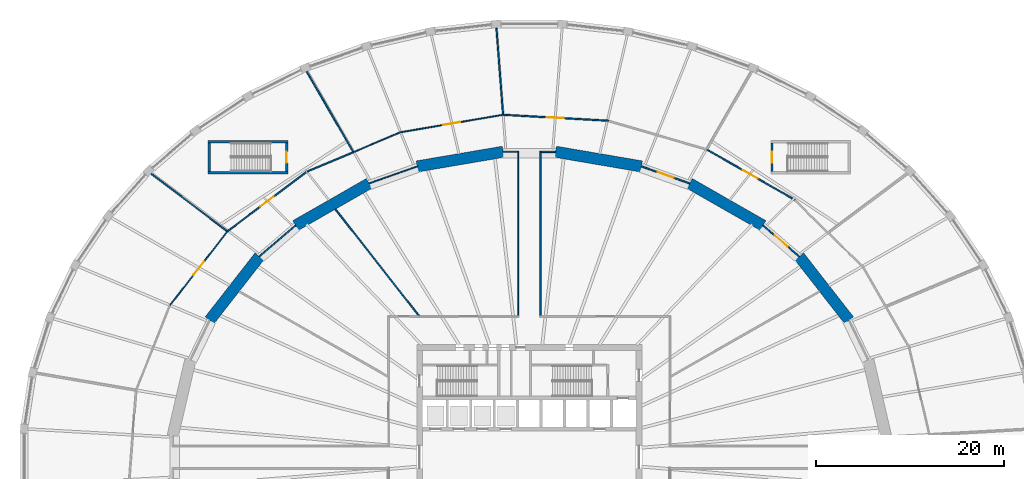
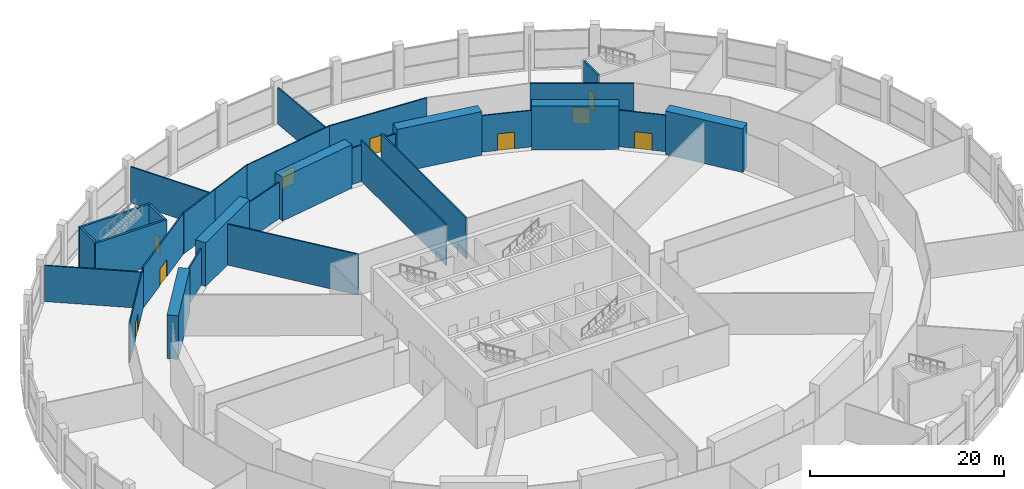
# One storey, part 24 of 29: 30 walls, 9 doors, 9 openings.
"""IFC4 building model written with IfcOpenShell, lengths in metres."""

from ifc_helpers import new_model, si_unit, direction, frame, frame_2d, origin, place, context, subcontext, project, spatial, polyline, rectangle, outline, extrude, material, layer, layer_set, type_object, element, fill, save


model = new_model("IFC4")

# Units and contexts
model_context = context("Model", 3, precision=1e-05, world=origin(), true_north=direction((0.0, 1.0)))
body_context = subcontext(model_context, "Body", "Model", "MODEL_VIEW")
ifc_project = project(units=[si_unit("LENGTHUNIT", "METRE"), si_unit("AREAUNIT", "SQUARE_METRE"), si_unit("VOLUMEUNIT", "CUBIC_METRE"), si_unit("PLANEANGLEUNIT", "RADIAN"), si_unit("MASSUNIT", "GRAM", prefix="KILO")], contexts=[model_context])

# Site, building, storey
site_placement = place(None, origin())
site = spatial("IfcSite", under=ifc_project, at=site_placement, CompositionType="ELEMENT")
building_placement = place(site_placement, origin())
building = spatial("IfcBuilding", under=site, at=building_placement, Name="Halqa Exchange Tower", CompositionType="ELEMENT")
storey_placement = place(building_placement, frame((0.0, 0.0, 12.5)))
storey = spatial("IfcBuildingStorey", under=building, at=storey_placement, Name="L02", CompositionType="ELEMENT", Elevation=12.5)

# Walls
ifc_material_1 = material(Name="Gypsum board")
ifc_layer_1 = layer(ifc_material_1, 0.14990234375)
ifc_layer_set_1 = layer_set([ifc_layer_1], Name="Gypsum board")
wall_type_1 = type_object("IfcWallType", Name="Acoustic partition 150", PredefinedType="PARTITIONING", material=ifc_layer_set_1)
wall_1_placement = place(storey_placement, frame((-20.679931640625, 26.449951171875, 0.0), z_axis=(0.0, 0.0, 1.0), x_axis=(0.616461511357, -0.787385042413, 0.0)))
element("IfcWall", 1, at=wall_1_placement, inside=storey, type_object=wall_type_1, Name="L02-PWL-023", PredefinedType="PARTITIONING", context=body_context, shape_type="SweptSolid", body=[
    extrude(outline(polyline([(-0.010986328125, -0.074951171875), (14.517822265625, -0.074951171875), (14.517822265625, 0.074951171875), (0.010986328125, 0.074951171875), (-0.010986328125, -0.074951171875)])), origin(), (0.0, 0.0, 1.0), 5.14990234375),
])
ifc_material_2 = material(Name="Fire-rated gypsum board")
ifc_layer_2 = layer(ifc_material_2, 0.14990234375)
ifc_layer_set_2 = layer_set([ifc_layer_2], Name="Fire-rated gypsum board")
wall_type_2 = type_object("IfcWallType", Name="Fire partition EI 60 150", PredefinedType="PARTITIONING", material=ifc_layer_set_2)
wall_2_placement = place(storey_placement, frame((-40.337646484375, 30.225341796875, 0.0), z_axis=(0.0, 0.0, 1.0), x_axis=(0.79878223103, -0.601620268435, 0.0)))
element("IfcWall", 2, at=wall_2_placement, inside=storey, type_object=wall_type_2, Name="L02-PWL-006", PredefinedType="PARTITIONING", context=body_context, shape_type="SweptSolid", body=[
    extrude(outline(polyline([(-0.011474609375, -0.074951171875), (10.117919921875, -0.074951171875), (10.117919921875, 0.074951171875), (0.011474609375, 0.074951171875), (-0.011474609375, -0.074951171875)])), origin(), (0.0, 0.0, 1.0), 4.550048828125),
])

# Wall, opening, door
wall_3_placement = place(storey_placement, frame((-32.22509765625, 24.068603515625, 0.0), z_axis=(0.0, 0.0, 1.0), x_axis=(0.799199975682, 0.601065220147, 0.0)))
wall_3 = element("IfcWall", 3, at=wall_3_placement, inside=storey, type_object=wall_type_2, Name="L02-PWL-016", PredefinedType="PARTITIONING", context=body_context, shape_type="SweptSolid", body=[
    extrude(rectangle(XDim=10.665771484375, YDim=0.14990234375, at=frame_2d((5.3330078125, 0.0))), origin(), (0.0, 0.0, 1.0), 5.14990234375),
])
opening_1_placement = place(wall_3_placement, frame((4.41796875, 0.0, 0.0)))
opening_1 = element("IfcOpeningElement", 4, at=opening_1_placement, cuts=wall_3, Name="Opening L02-16", PredefinedType="OPENING", context=body_context, shape_type="SweptSolid", body=[
    extrude(rectangle(XDim=1.800048828125, YDim=2.10009765625, at=frame_2d((0.89990234375, 1.050048828125))), frame((0.0, 0.0869140625, 0.0), z_axis=(0.0, -1.0, 0.0), x_axis=(1.0, 0.0, 0.0)), (0.0, 0.0, 1.0), 0.173828125),
])
ifc_material_3 = material(Name="Steel fire door leaf", Category="steel")
door_type_1 = type_object("IfcDoorType", Name="Fire door FD30S double 1800 x 2100", OperationType="DOUBLE_DOOR_SINGLE_SWING", PredefinedType="DOOR", material=ifc_material_3)
door_1_placement = place(opening_1_placement, origin())
door_1 = element("IfcDoor", 5, at=door_1_placement, inside=storey, type_object=door_type_1, Name="L02-IDR-016", OperationType="DOUBLE_DOOR_SINGLE_SWING", OverallHeight=2.10009765625, OverallWidth=1.800048828125, PredefinedType="DOOR", context=body_context, shape_type="SweptSolid", body=[
    extrude(rectangle(XDim=1.800048828125, YDim=2.10009765625, at=frame_2d((0.89990234375, 1.050048828125))), frame((0.0, 0.02490234375, 0.0), z_axis=(0.0, -1.0, 0.0), x_axis=(1.0, 0.0, 0.0)), (0.0, 0.0, 1.0), 0.050048828125),
])
fill(opening_1, door_1)

# Walls
wall_4_placement = place(storey_placement, frame((-24.931884765625, 24.70849609375, 0.0), z_axis=(0.0, 0.0, 1.0), x_axis=(-0.760084552743, -0.649824185978, 0.0)))
element("IfcWall", 6, at=wall_4_placement, inside=storey, type_object=wall_type_2, Name="L02-PWL-019", PredefinedType="PARTITIONING", context=body_context, shape_type="SweptSolid", body=[
    extrude(outline(polyline([(-0.01416015625, -0.074951171875), (5.09033203125, -0.074951171875), (5.0595703125, 0.074951171875), (0.01416015625, 0.074951171875), (-0.01416015625, -0.074951171875)])), origin(), (0.0, 0.0, 1.0), 4.60009765625),
])
wall_5_placement = place(storey_placement, frame((-23.6865234375, 30.45947265625, 0.0), z_axis=(0.0, 0.0, 1.0), x_axis=(0.921600059119, 0.388140864934, 0.0)))
element("IfcWall", 7, at=wall_5_placement, inside=storey, type_object=wall_type_2, Name="L02-PWL-020", PredefinedType="PARTITIONING", context=body_context, shape_type="SweptSolid", body=[
    extrude(rectangle(XDim=5.335693359375, YDim=0.14990234375, at=frame_2d((2.66796875, 0.0))), origin(), (0.0, 0.0, 1.0), 5.14990234375),
])
wall_6_placement = place(storey_placement, frame((-23.7451171875, 41.150390625, 0.0), z_axis=(0.0, 0.0, 1.0), x_axis=(0.49985011379, -0.866111923336, 0.0)))
element("IfcWall", 8, at=wall_6_placement, inside=storey, type_object=wall_type_2, Name="L02-PWL-021", PredefinedType="PARTITIONING", context=body_context, shape_type="SweptSolid", body=[
    extrude(outline(polyline([(-0.00927734375, -0.074951171875), (9.8779296875, -0.074951171875), (9.8779296875, 0.074951171875), (0.00927734375, 0.074951171875), (-0.00927734375, -0.074951171875)])), origin(), (0.0, 0.0, 1.0), 4.550048828125),
])
wall_7_placement = place(storey_placement, frame((-2.80419921875, 36.5732421875, 0.0), z_axis=(0.0, 0.0, 1.0), x_axis=(-0.076121640679, 0.997098538671, 0.0)))
element("IfcWall", 9, at=wall_7_placement, inside=storey, type_object=wall_type_2, Name="L02-PWL-040", PredefinedType="PARTITIONING", context=body_context, shape_type="SweptSolid", body=[
    extrude(outline(polyline([(0.0, -0.074951171875), (9.254638671875, -0.074951171875), (9.257568359375, 0.074951171875), (0.0, 0.074951171875), (0.0, -0.074951171875)])), origin(), (0.0, 0.0, 1.0), 4.60009765625),
])

# Wall, opening, door
wall_8_placement = place(storey_placement, frame((-2.794921875, 36.519775390625, 0.0), z_axis=(0.0, 0.0, 1.0), x_axis=(0.998407334581, -0.056416258786, 0.0)))
wall_8 = element("IfcWall", 10, at=wall_8_placement, inside=storey, type_object=wall_type_2, Name="L02-PWL-041", PredefinedType="PARTITIONING", context=body_context, shape_type="SweptSolid", body=[
    extrude(rectangle(XDim=11.260009765625, YDim=0.14990234375, at=frame_2d((5.6298828125, 0.0))), origin(), (0.0, 0.0, 1.0), 5.14990234375),
])
opening_2_placement = place(wall_8_placement, frame((4.678955078125, 0.0, 0.0)))
opening_2 = element("IfcOpeningElement", 11, at=opening_2_placement, cuts=wall_8, Name="Opening L02-21", PredefinedType="OPENING", context=body_context, shape_type="SweptSolid", body=[
    extrude(rectangle(XDim=1.800048828125, YDim=2.10009765625, at=frame_2d((0.89990234375, 1.050048828125))), frame((0.0, 0.0869140625, 0.0), z_axis=(0.0, -1.0, 0.0), x_axis=(1.0, 0.0, 0.0)), (0.0, 0.0, 1.0), 0.173828125),
])
door_2_placement = place(opening_2_placement, origin())
door_2 = element("IfcDoor", 12, at=door_2_placement, inside=storey, type_object=door_type_1, Name="L02-IDR-021", OperationType="DOUBLE_DOOR_SINGLE_SWING", OverallHeight=2.10009765625, OverallWidth=1.800048828125, PredefinedType="DOOR", context=body_context, shape_type="SweptSolid", body=[
    extrude(rectangle(XDim=1.800048828125, YDim=2.10009765625, at=frame_2d((0.89990234375, 1.050048828125))), frame((0.0, 0.02490234375, 0.0), z_axis=(0.0, -1.0, 0.0), x_axis=(1.0, 0.0, 0.0)), (0.0, 0.0, 1.0), 0.050048828125),
])
fill(opening_2, door_2)

# Walls
wall_9_placement = place(storey_placement, frame((1.199951171875, 32.64501953125, 0.0), z_axis=(0.0, 0.0, 1.0), x_axis=(0.0, -1.0, 0.0)))
element("IfcWall", 13, at=wall_9_placement, inside=storey, type_object=wall_type_2, Name="L02-PWL-050", PredefinedType="PARTITIONING", context=body_context, shape_type="SweptSolid", body=[
    extrude(rectangle(XDim=17.570068359375, YDim=0.14990234375, at=frame_2d((8.78515625, 0.0))), origin(), (0.0, 0.0, 1.0), 5.14990234375),
])
wall_10_placement = place(storey_placement, frame((2.7880859375, 32.570068359375, 0.0), z_axis=(0.0, 0.0, 1.0), x_axis=(-1.0, 0.0, 0.0)))
element("IfcWall", 14, at=wall_10_placement, inside=storey, type_object=wall_type_2, Name="L02-PWL-051", PredefinedType="PARTITIONING", context=body_context, shape_type="SweptSolid", body=[
    extrude(outline(polyline([(-0.0126953125, -0.074951171875), (1.51318359375, -0.074951171875), (1.51318359375, 0.074951171875), (0.0126953125, 0.074951171875), (-0.0126953125, -0.074951171875)])), origin(), (0.0, 0.0, 1.0), 4.60009765625),
])

# Wall, opening, door
wall_11_placement = place(storey_placement, frame((17.0908203125, 29.19970703125, 0.0), z_axis=(0.0, 0.0, 1.0), x_axis=(-0.942814385805, 0.333318217204, 0.0)))
wall_11 = element("IfcWall", 15, at=wall_11_placement, inside=storey, type_object=wall_type_2, Name="L02-PWL-065", PredefinedType="PARTITIONING", context=body_context, shape_type="SweptSolid", body=[
    extrude(outline(polyline([(-0.013671875, -0.074951171875), (5.44775390625, -0.074951171875), (5.421875, 0.074951171875), (0.013671875, 0.074951171875), (-0.013671875, -0.074951171875)])), origin(), (0.0, 0.0, 1.0), 4.60009765625),
])
opening_3_placement = place(wall_11_placement, frame((1.81640625, 0.0, 0.0)))
opening_3 = element("IfcOpeningElement", 16, at=opening_3_placement, cuts=wall_11, Name="Opening L02-04", PredefinedType="OPENING", context=body_context, shape_type="SweptSolid", body=[
    extrude(rectangle(XDim=1.800048828125, YDim=2.10009765625, at=frame_2d((0.89990234375, 1.050048828125))), frame((0.0, 0.0869140625, 0.0), z_axis=(0.0, -1.0, 0.0), x_axis=(1.0, 0.0, 0.0)), (0.0, 0.0, 1.0), 0.173828125),
])
door_3_placement = place(opening_3_placement, origin())
door_3 = element("IfcDoor", 17, at=door_3_placement, inside=storey, type_object=door_type_1, Name="L02-IDR-004", OperationType="DOUBLE_DOOR_SINGLE_SWING", OverallHeight=2.10009765625, OverallWidth=1.800048828125, PredefinedType="DOOR", context=body_context, shape_type="SweptSolid", body=[
    extrude(rectangle(XDim=1.800048828125, YDim=2.10009765625, at=frame_2d((0.89990234375, 1.050048828125))), frame((0.0, 0.02490234375, 0.0), z_axis=(0.0, -1.0, 0.0), x_axis=(1.0, 0.0, 0.0)), (0.0, 0.0, 1.0), 0.050048828125),
])
fill(opening_3, door_3)

wall_12_placement = place(storey_placement, frame((18.957763671875, 32.7998046875, 0.0), z_axis=(0.0, 0.0, 1.0), x_axis=(0.867958465669, -0.496636790697, 0.0)))
wall_12 = element("IfcWall", 18, at=wall_12_placement, inside=storey, type_object=wall_type_2, Name="L02-PWL-067", PredefinedType="PARTITIONING", context=body_context, shape_type="SweptSolid", body=[
    extrude(rectangle(XDim=10.771728515625, YDim=0.14990234375, at=frame_2d((5.3857421875, 0.0))), origin(), (0.0, 0.0, 1.0), 5.14990234375),
])
opening_4_placement = place(wall_12_placement, frame((4.42529296875, 0.0, 0.0)))
opening_4 = element("IfcOpeningElement", 19, at=opening_4_placement, cuts=wall_12, Name="Opening L02-15", PredefinedType="OPENING", context=body_context, shape_type="SweptSolid", body=[
    extrude(rectangle(XDim=1.800048828125, YDim=2.10009765625, at=frame_2d((0.89990234375, 1.050048828125))), frame((0.0, 0.0869140625, 0.0), z_axis=(0.0, -1.0, 0.0), x_axis=(1.0, 0.0, 0.0)), (0.0, 0.0, 1.0), 0.173828125),
])
door_4_placement = place(opening_4_placement, origin())
door_4 = element("IfcDoor", 20, at=door_4_placement, inside=storey, type_object=door_type_1, Name="L02-IDR-015", OperationType="DOUBLE_DOOR_SINGLE_SWING", OverallHeight=2.10009765625, OverallWidth=1.800048828125, PredefinedType="DOOR", context=body_context, shape_type="SweptSolid", body=[
    extrude(rectangle(XDim=1.800048828125, YDim=2.10009765625, at=frame_2d((0.89990234375, 1.050048828125))), frame((0.0, 0.02490234375, 0.0), z_axis=(0.0, -1.0, 0.0), x_axis=(1.0, 0.0, 0.0)), (0.0, 0.0, 1.0), 0.050048828125),
])
fill(opening_4, door_4)

wall_13_placement = place(storey_placement, frame((28.789306640625, 21.41064453125, 0.0), z_axis=(0.0, 0.0, 1.0), x_axis=(-0.760084552743, 0.649824185978, 0.0)))
wall_13 = element("IfcWall", 21, at=wall_13_placement, inside=storey, type_object=wall_type_2, Name="L02-PWL-071", PredefinedType="PARTITIONING", context=body_context, shape_type="SweptSolid", body=[
    extrude(outline(polyline([(-0.015380859375, -0.074951171875), (5.089111328125, -0.074951171875), (5.060791015625, 0.074951171875), (0.015380859375, 0.074951171875), (-0.015380859375, -0.074951171875)])), origin(), (0.0, 0.0, 1.0), 4.60009765625),
])
opening_5_placement = place(wall_13_placement, frame((1.63818359375, 0.0, 0.0)))
opening_5 = element("IfcOpeningElement", 22, at=opening_5_placement, cuts=wall_13, Name="Opening L02-03", PredefinedType="OPENING", context=body_context, shape_type="SweptSolid", body=[
    extrude(rectangle(XDim=1.800048828125, YDim=2.10009765625, at=frame_2d((0.89990234375, 1.050048828125))), frame((0.0, 0.0869140625, 0.0), z_axis=(0.0, -1.0, 0.0), x_axis=(1.0, 0.0, 0.0)), (0.0, 0.0, 1.0), 0.173828125),
])
door_5_placement = place(opening_5_placement, origin())
door_5 = element("IfcDoor", 23, at=door_5_placement, inside=storey, type_object=door_type_1, Name="L02-IDR-003", OperationType="DOUBLE_DOOR_SINGLE_SWING", OverallHeight=2.10009765625, OverallWidth=1.800048828125, PredefinedType="DOOR", context=body_context, shape_type="SweptSolid", body=[
    extrude(rectangle(XDim=1.800048828125, YDim=2.10009765625, at=frame_2d((0.89990234375, 1.050048828125))), frame((0.0, 0.02490234375, 0.0), z_axis=(0.0, -1.0, 0.0), x_axis=(1.0, 0.0, 0.0)), (0.0, 0.0, 1.0), 0.050048828125),
])
fill(opening_5, door_5)

ifc_material_4 = material(Name="Fire-rated glazing", Category="glass")
ifc_layer_3 = layer(ifc_material_4, 0.1201171875)
ifc_layer_set_3 = layer_set([ifc_layer_3], Name="Fire-rated glazing")
wall_type_3 = type_object("IfcWallType", Name="Glazed fire partition EI 60 120", PredefinedType="PARTITIONING", material=ifc_layer_set_3)
wall_14_placement = place(storey_placement, frame((-38.3076171875, 16.2275390625, 0.0), z_axis=(0.0, 0.0, 1.0), x_axis=(0.614374815397, 0.789014313055, 0.0)))
wall_14 = element("IfcWall", 24, at=wall_14_placement, inside=storey, type_object=wall_type_3, Name="L02-PWL-008", PredefinedType="PARTITIONING", context=body_context, shape_type="SweptSolid", body=[
    extrude(rectangle(XDim=9.924072265625, YDim=0.1201171875, at=frame_2d((4.9619140625, 0.0))), origin(), (0.0, 0.0, 1.0), 5.14990234375),
])
opening_6_placement = place(wall_14_placement, frame((4.05224609375, 0.0, 0.0)))
opening_6 = element("IfcOpeningElement", 25, at=opening_6_placement, cuts=wall_14, Name="Opening L02-23", PredefinedType="OPENING", context=body_context, shape_type="SweptSolid", body=[
    extrude(rectangle(XDim=1.800048828125, YDim=2.10009765625, at=frame_2d((0.89990234375, 1.050048828125))), frame((0.0, 0.072021484375, 0.0), z_axis=(0.0, -1.0, 0.0), x_axis=(1.0, 0.0, 0.0)), (0.0, 0.0, 1.0), 0.14404296875),
])
door_6_placement = place(opening_6_placement, origin())
door_6 = element("IfcDoor", 26, at=door_6_placement, inside=storey, type_object=door_type_1, Name="L02-IDR-023", OperationType="DOUBLE_DOOR_SINGLE_SWING", OverallHeight=2.10009765625, OverallWidth=1.800048828125, PredefinedType="DOOR", context=body_context, shape_type="SweptSolid", body=[
    extrude(rectangle(XDim=1.800048828125, YDim=2.10009765625, at=frame_2d((0.89990234375, 1.050048828125))), frame((0.0, 0.02490234375, 0.0), z_axis=(0.0, -1.0, 0.0), x_axis=(1.0, 0.0, 0.0)), (0.0, 0.0, 1.0), 0.050048828125),
])
fill(opening_6, door_6)

# Wall
wall_15_placement = place(storey_placement, frame((-18.77001953125, 32.530029296875, 0.0), z_axis=(0.0, 0.0, 1.0), x_axis=(0.920949546313, 0.389681835792, 0.0)))
element("IfcWall", 27, at=wall_15_placement, inside=storey, type_object=wall_type_3, Name="L02-PWL-026", PredefinedType="PARTITIONING", context=body_context, shape_type="SweptSolid", body=[
    extrude(rectangle(XDim=5.51953125, YDim=0.1201171875, at=frame_2d((2.759765625, 0.0))), origin(), (0.0, 0.0, 1.0), 5.14990234375),
])

# Wall, opening, door
wall_16_placement = place(storey_placement, frame((-13.68017578125, 34.66357421875, 0.0), z_axis=(0.0, 0.0, 1.0), x_axis=(0.985752612564, 0.168201625505, 0.0)))
wall_16 = element("IfcWall", 28, at=wall_16_placement, inside=storey, type_object=wall_type_3, Name="L02-PWL-035", PredefinedType="PARTITIONING", context=body_context, shape_type="SweptSolid", body=[
    extrude(rectangle(XDim=11.042724609375, YDim=0.1201171875, at=frame_2d((5.521484375, 0.0))), origin(), (0.0, 0.0, 1.0), 5.14990234375),
])
opening_7_placement = place(wall_16_placement, frame((4.578125, 0.0, 0.0)))
opening_7 = element("IfcOpeningElement", 29, at=opening_7_placement, cuts=wall_16, Name="Opening L02-22", PredefinedType="OPENING", context=body_context, shape_type="SweptSolid", body=[
    extrude(rectangle(XDim=1.800048828125, YDim=2.10009765625, at=frame_2d((0.89990234375, 1.050048828125))), frame((0.0, 0.072021484375, 0.0), z_axis=(0.0, -1.0, 0.0), x_axis=(1.0, 0.0, 0.0)), (0.0, 0.0, 1.0), 0.14404296875),
])
door_7_placement = place(opening_7_placement, origin())
door_7 = element("IfcDoor", 30, at=door_7_placement, inside=storey, type_object=door_type_1, Name="L02-IDR-022", OperationType="DOUBLE_DOOR_SINGLE_SWING", OverallHeight=2.10009765625, OverallWidth=1.800048828125, PredefinedType="DOOR", context=body_context, shape_type="SweptSolid", body=[
    extrude(rectangle(XDim=1.800048828125, YDim=2.10009765625, at=frame_2d((0.89990234375, 1.050048828125))), frame((0.0, 0.02490234375, 0.0), z_axis=(0.0, -1.0, 0.0), x_axis=(1.0, 0.0, 0.0)), (0.0, 0.0, 1.0), 0.050048828125),
])
fill(opening_7, door_7)

# Walls
wall_17_placement = place(storey_placement, frame((-11.966796875, 31.01123046875, 0.0), z_axis=(0.0, 0.0, 1.0), x_axis=(-0.942814385805, -0.333318217204, 0.0)))
element("IfcWall", 31, at=wall_17_placement, inside=storey, type_object=wall_type_3, Name="L02-PWL-036", PredefinedType="PARTITIONING", context=body_context, shape_type="SweptSolid", body=[
    extrude(outline(polyline([(-0.01025390625, -0.06005859375), (5.44580078125, -0.06005859375), (5.423828125, 0.06005859375), (0.01025390625, 0.06005859375), (-0.01025390625, -0.06005859375)])), origin(), (0.0, 0.0, 1.0), 4.60009765625),
])
wall_18_placement = place(storey_placement, frame((-1.199951171875, 15.06005859375, 0.0), z_axis=(0.0, 0.0, 1.0), x_axis=(0.0, 1.0, 0.0)))
element("IfcWall", 32, at=wall_18_placement, inside=storey, type_object=wall_type_3, Name="L02-PWL-045", PredefinedType="PARTITIONING", context=body_context, shape_type="SweptSolid", body=[
    extrude(rectangle(XDim=17.56982421875, YDim=0.1201171875, at=frame_2d((8.784912109375, 0.0))), origin(), (0.0, 0.0, 1.0), 5.14990234375),
])
wall_19_placement = place(storey_placement, frame((-1.260009765625, 32.570068359375, 0.0), z_axis=(0.0, 0.0, 1.0), x_axis=(-1.0, 0.0, 0.0)))
element("IfcWall", 33, at=wall_19_placement, inside=storey, type_object=wall_type_3, Name="L02-PWL-046", PredefinedType="PARTITIONING", context=body_context, shape_type="SweptSolid", body=[
    extrude(outline(polyline([(0.0, -0.06005859375), (1.538330078125, -0.06005859375), (1.517822265625, 0.06005859375), (0.0, 0.06005859375), (0.0, -0.06005859375)])), origin(), (0.0, 0.0, 1.0), 4.60009765625),
])
ifc_material_5 = material(Name="Concrete C80/95", Category="concrete")
ifc_layer_4 = layer(ifc_material_5, 1.199951171875)
ifc_layer_set_4 = layer_set([ifc_layer_4], Name="Concrete C80/95")
wall_type_4 = type_object("IfcWallType", Name="RC ring pier 1200 C80/95", PredefinedType="SHEAR", material=ifc_layer_set_4)
wall_20_placement = place(storey_placement, frame((34.09716796875, 14.60498046875, 0.0), z_axis=(0.0, 0.0, 1.0), x_axis=(-0.614825322247, 0.788663314174, 0.0)))
element("IfcWall", 34, at=wall_20_placement, inside=storey, type_object=wall_type_4, Name="Ring pier 2", PredefinedType="SHEAR", context=body_context, shape_type="SweptSolid", body=[
    extrude(rectangle(XDim=8.631591796875, YDim=1.199951171875, at=frame_2d((4.31591796875, 0.0))), origin(), (0.0, 0.0, 1.0), 5.5),
])
wall_21_placement = place(storey_placement, frame((24.931396484375, 24.705810546875, 0.0), z_axis=(0.0, 0.0, 1.0), x_axis=(-0.867760656864, 0.496982336103, 0.0)))
element("IfcWall", 35, at=wall_21_placement, inside=storey, type_object=wall_type_4, Name="Ring pier 3", PredefinedType="SHEAR", context=body_context, shape_type="SweptSolid", body=[
    extrude(rectangle(XDim=9.037841796875, YDim=1.199951171875, at=frame_2d((4.51904296875, 0.0))), origin(), (0.0, 0.0, 1.0), 5.5),
])
for number, where, z_axis, x_axis, name in (
    (36, (11.96728515625, 31.00927734375, 0.0), (0.0, 0.0, 1.0), (-0.985776286846, 0.168062822456, 0.0), "Ring pier 4"),
    (37, (-2.7880859375, 32.57421875, 0.0), (0.0, 0.0, 1.0), (-0.985776286846, -0.168062822456, 0.0), "Ring pier 5"),
):
    element("IfcWall", number, at=place(storey_placement, frame(where, z_axis=z_axis, x_axis=x_axis)), inside=storey, type_object=wall_type_4, Name=name, PredefinedType="SHEAR", context=body_context, shape_type="SweptSolid", body=[
        extrude(rectangle(XDim=9.3115234375, YDim=1.199951171875, at=frame_2d((4.65576171875, 0.0))), origin(), (0.0, 0.0, 1.0), 5.5),
    ])
wall_22_placement = place(storey_placement, frame((-17.088623046875, 29.197509765625, 0.0), z_axis=(0.0, 0.0, 1.0), x_axis=(-0.867760656864, -0.496982336103, 0.0)))
element("IfcWall", 38, at=wall_22_placement, inside=storey, type_object=wall_type_4, Name="Ring pier 6", PredefinedType="SHEAR", context=body_context, shape_type="SweptSolid", body=[
    extrude(rectangle(XDim=9.037841796875, YDim=1.199951171875, at=frame_2d((4.51904296875, 0.0))), origin(), (0.0, 0.0, 1.0), 5.5),
])
wall_23_placement = place(storey_placement, frame((-28.790283203125, 21.412353515625, 0.0), z_axis=(0.0, 0.0, 1.0), x_axis=(-0.614825322247, -0.788663314174, 0.0)))
element("IfcWall", 39, at=wall_23_placement, inside=storey, type_object=wall_type_4, Name="Ring pier 7", PredefinedType="SHEAR", context=body_context, shape_type="SweptSolid", body=[
    extrude(rectangle(XDim=8.631591796875, YDim=1.199951171875, at=frame_2d((4.31591796875, 0.0))), origin(), (0.0, 0.0, 1.0), 5.5),
])

# Wall, opening, door
ifc_material_6 = material(Name="Concrete C30/37", Category="concrete")
ifc_layer_5 = layer(ifc_material_6, 0.25)
ifc_layer_set_5 = layer_set([ifc_layer_5], Name="Concrete C30/37")
wall_type_5 = type_object("IfcWallType", Name="RC stair wall 250 C30/37", PredefinedType="SHEAR", material=ifc_layer_set_5)
wall_24_placement = place(storey_placement, frame((25.875, 30.47509765625, 0.0), z_axis=(0.0, 0.0, 1.0), x_axis=(0.0, 1.0, 0.0)))
wall_24 = element("IfcWall", 40, at=wall_24_placement, inside=storey, type_object=wall_type_5, Name="Stair PS1 wall west", PredefinedType="SHEAR", context=body_context, shape_type="SweptSolid", body=[
    extrude(rectangle(XDim=3.0498046875, YDim=0.25, at=frame_2d((1.52490234375, 0.0))), origin(), (0.0, 0.0, 1.0), 5.14990234375),
])
opening_8_placement = place(wall_24_placement, frame((0.925048828125, 0.0, 0.0)))
opening_8 = element("IfcOpeningElement", 41, at=opening_8_placement, cuts=wall_24, Name="Opening L02-C15", PredefinedType="OPENING", context=body_context, shape_type="SweptSolid", body=[
    extrude(rectangle(XDim=1.199951171875, YDim=2.10009765625, at=frame_2d((0.60009765625, 1.050048828125))), frame((0.0, 0.136962890625, 0.0), z_axis=(0.0, -1.0, 0.0), x_axis=(1.0, 0.0, 0.0)), (0.0, 0.0, 1.0), 0.27392578125),
])
door_type_2 = type_object("IfcDoorType", Name="Stair door FD90 1200 x 2100", OperationType="SINGLE_SWING_LEFT", PredefinedType="DOOR", material=ifc_material_3)
door_8_placement = place(opening_8_placement, origin())
door_8 = element("IfcDoor", 42, at=door_8_placement, inside=storey, type_object=door_type_2, Name="Stair door PS1", OperationType="SINGLE_SWING_RIGHT", OverallHeight=2.10009765625, OverallWidth=1.199951171875, PredefinedType="DOOR", context=body_context, shape_type="SweptSolid", body=[
    extrude(rectangle(XDim=1.199951171875, YDim=2.10009765625, at=frame_2d((0.60009765625, 1.050048828125))), frame((0.0, 0.02490234375, 0.0), z_axis=(0.0, -1.0, 0.0), x_axis=(1.0, 0.0, 0.0)), (0.0, 0.0, 1.0), 0.050048828125),
])
fill(opening_8, door_8)

# Walls
for number, where, z_axis, x_axis, name in (
    (43, (-34.25, 33.64990234375, 0.0), (0.0, 0.0, 1.0), (1.0, 0.0, 0.0), "Stair PS3 wall north"),
    (44, (-34.25, 30.35009765625, 0.0), (0.0, 0.0, 1.0), (1.0, 0.0, 0.0), "Stair PS3 wall south"),
):
    element("IfcWall", number, at=place(storey_placement, frame(where, z_axis=z_axis, x_axis=x_axis)), inside=storey, type_object=wall_type_5, Name=name, PredefinedType="SHEAR", context=body_context, shape_type="SweptSolid", body=[
        extrude(rectangle(XDim=8.5, YDim=0.25, at=frame_2d((4.25, 0.0))), origin(), (0.0, 0.0, 1.0), 5.14990234375),
    ])
wall_25_placement = place(storey_placement, frame((-34.125, 30.47509765625, 0.0), z_axis=(0.0, 0.0, 1.0), x_axis=(0.0, 1.0, 0.0)))
element("IfcWall", 45, at=wall_25_placement, inside=storey, type_object=wall_type_5, Name="Stair PS3 wall west", PredefinedType="SHEAR", context=body_context, shape_type="SweptSolid", body=[
    extrude(rectangle(XDim=3.0498046875, YDim=0.25, at=frame_2d((1.52490234375, 0.0))), origin(), (0.0, 0.0, 1.0), 5.14990234375),
])

# Wall, opening, door
wall_26_placement = place(storey_placement, frame((-25.875, 30.47509765625, 0.0), z_axis=(0.0, 0.0, 1.0), x_axis=(0.0, 1.0, 0.0)))
wall_26 = element("IfcWall", 46, at=wall_26_placement, inside=storey, type_object=wall_type_5, Name="Stair PS3 wall east", PredefinedType="SHEAR", context=body_context, shape_type="SweptSolid", body=[
    extrude(rectangle(XDim=3.0498046875, YDim=0.25, at=frame_2d((1.52490234375, 0.0))), origin(), (0.0, 0.0, 1.0), 5.14990234375),
])
opening_9_placement = place(wall_26_placement, frame((0.925048828125, 0.0, 0.0)))
opening_9 = element("IfcOpeningElement", 47, at=opening_9_placement, cuts=wall_26, Name="Opening L02-C17", PredefinedType="OPENING", context=body_context, shape_type="SweptSolid", body=[
    extrude(rectangle(XDim=1.199951171875, YDim=2.10009765625, at=frame_2d((0.60009765625, 1.050048828125))), frame((0.0, 0.136962890625, 0.0), z_axis=(0.0, -1.0, 0.0), x_axis=(1.0, 0.0, 0.0)), (0.0, 0.0, 1.0), 0.27392578125),
])
door_9_placement = place(opening_9_placement, origin())
door_9 = element("IfcDoor", 48, at=door_9_placement, inside=storey, type_object=door_type_2, Name="Stair door PS3", OperationType="SINGLE_SWING_LEFT", OverallHeight=2.10009765625, OverallWidth=1.199951171875, PredefinedType="DOOR", context=body_context, shape_type="SweptSolid", body=[
    extrude(rectangle(XDim=1.199951171875, YDim=2.10009765625, at=frame_2d((0.60009765625, 1.050048828125))), frame((0.0, 0.02490234375, 0.0), z_axis=(0.0, -1.0, 0.0), x_axis=(1.0, 0.0, 0.0)), (0.0, 0.0, 1.0), 0.050048828125),
])
fill(opening_9, door_9)

save(model, "model.ifc")
